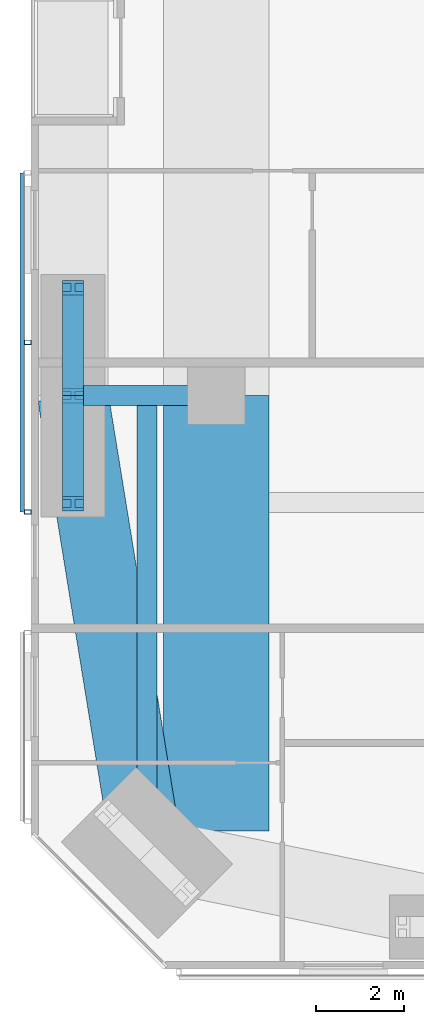
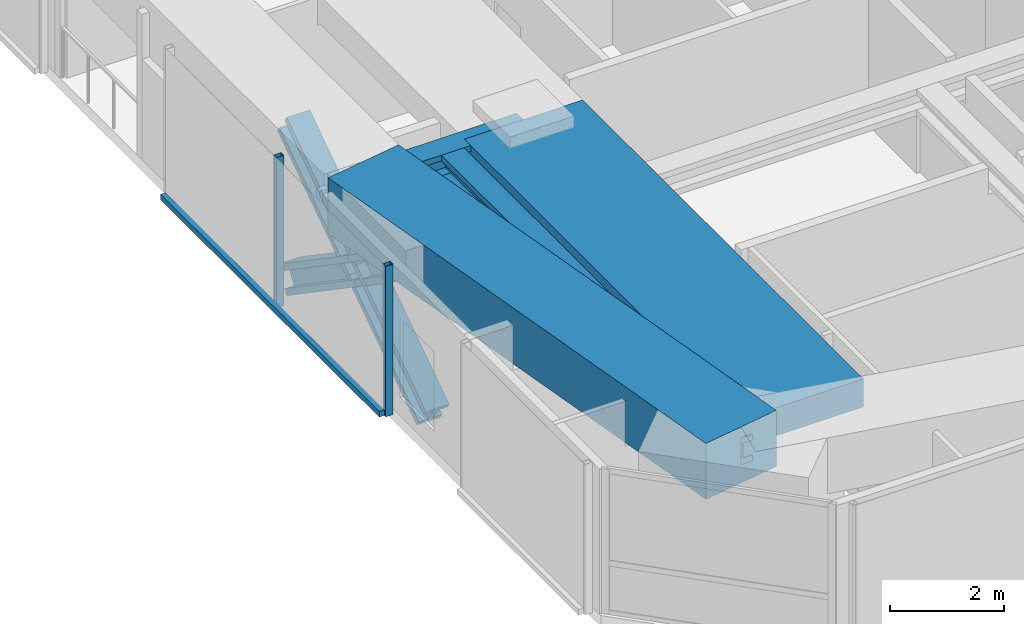
# One storey, part 3 of 25: 7 members, 4 beams, 1 element without a shape of its own.
"""IFC4 building model written with IfcOpenShell, lengths in metres."""

from ifc_helpers import new_model, si_unit, direction, frame, origin, origin_2d, place, context, subcontext, project, spatial, rectangle, hollow_rectangle, i_section, extrude, material, material_profile, profile_set, type_object, element, aggregate, save


model = new_model("IFC4")

# Units and contexts
model_context = context("Model", 3, precision=1e-05, world=origin(), true_north=direction((0.0, 1.0)))
body_context = subcontext(model_context, "Body", "Model", "MODEL_VIEW")
ifc_project = project(units=[si_unit("LENGTHUNIT", "METRE"), si_unit("AREAUNIT", "SQUARE_METRE"), si_unit("VOLUMEUNIT", "CUBIC_METRE"), si_unit("PLANEANGLEUNIT", "RADIAN"), si_unit("MASSUNIT", "GRAM", prefix="KILO")], contexts=[model_context])

# Site, building, storey
site_placement = place(None, origin())
site = spatial("IfcSite", under=ifc_project, at=site_placement, CompositionType="ELEMENT")
building_placement = place(site_placement, origin())
building = spatial("IfcBuilding", under=site, at=building_placement, Name="Jalousie Tower", CompositionType="ELEMENT")
storey_placement = place(building_placement, frame((0.0, 0.0, 94.800048828125)))
storey = spatial("IfcBuildingStorey", under=building, at=storey_placement, Name="L25", CompositionType="ELEMENT", Elevation=94.800048828125)

# Beams
ifc_material_1 = material(Name="Steel ASTM A992 Grade 50", Category="steel")
ifc_material_profile_1 = material_profile(ifc_material_1, i_section(OverallWidth=0.45458984375, OverallDepth=0.569091796875, WebThickness=0.077880859375, FlangeThickness=0.124755859375, at=origin_2d()), Name="W14X730")
ifc_profile_set_1 = profile_set([ifc_material_profile_1], Name="Steel ASTM A992 Grade 50")
beam_type_1 = type_object("IfcBeamType", Name="LEAN COLLECTOR W14X730", PredefinedType="BEAM", material=ifc_profile_set_1)
beam_1_placement = place(storey_placement, frame((6.949951171875, 13.0, 2.825439453125), z_axis=(1.0, 0.0, 0.0), x_axis=(0.0, 1.0, 0.0)))
element("IfcBeam", 1, at=beam_1_placement, inside=storey, type_object=beam_type_1, Name="Lean collector under L26", PredefinedType="BEAM", context=body_context, shape_type="SweptSolid", body=[
    extrude(i_section(OverallWidth=0.45458984375, OverallDepth=0.569091796875, WebThickness=0.077880859375, FlangeThickness=0.124755859375, at=origin_2d()), origin(), (0.0, 0.0, 1.0), 3.25),
])
beam_2_placement = place(storey_placement, frame((8.63134765625, 2.63134765625, 2.825439453125), z_axis=(0.0, 1.0, 0.0), x_axis=(-1.0, 0.0, 0.0)))
element("IfcBeam", 2, at=beam_2_placement, inside=storey, type_object=beam_type_1, Name="Lean collector under L26", PredefinedType="BEAM", context=body_context, shape_type="SweptSolid", body=[
    extrude(i_section(OverallWidth=0.45458984375, OverallDepth=0.569091796875, WebThickness=0.077880859375, FlangeThickness=0.124755859375, at=origin_2d()), origin(), (0.0, 0.0, 1.0), 10.36865234375),
])

# Members
ifc_material_2 = material(Name="Steel ASTM A992 Grade 50", Category="steel")
ifc_material_profile_2 = material_profile(ifc_material_2, i_section(OverallWidth=0.472412109375, OverallDepth=0.5791015625, WebThickness=0.094970703125, FlangeThickness=0.1298828125, at=origin_2d()), Name="W14X808")
ifc_profile_set_2 = profile_set([ifc_material_profile_2], Name="Steel ASTM A992 Grade 50")
member_type_1 = type_object("IfcMemberType", Name="PERIMETER BRACE W14X808", PredefinedType="BRACE", material=ifc_profile_set_2)
for number, where, z_axis, x_axis, name in (
    (3, (6.949951171875, 10.550048828125, -0.60009765625), (0.0, 0.825500916831, 0.564400776321), (-1.0, 0.0, 0.0), "Perimeter brace 14 L25 part 1"),
    (4, (6.949951171875, 13.0, 1.074951171875), (0.0, 0.825500916831, 0.564400776321), (-1.0, 0.0, 0.0), "Perimeter brace 14 L25 part 2"),
    (5, (6.949951171875, 15.449951171875, -0.60009765625), (0.0, -0.825500916831, 0.564400776321), (1.0, 0.0, 0.0), "Perimeter brace 14 L25 part 3"),
    (6, (6.949951171875, 13.0, 1.074951171875), (0.0, -0.825500916831, 0.564400776321), (1.0, 0.0, 0.0), "Perimeter brace 14 L25 part 4"),
):
    element("IfcMember", number, at=place(storey_placement, frame(where, z_axis=z_axis, x_axis=x_axis)), inside=storey, type_object=member_type_1, Name=name, PredefinedType="BRACE", context=body_context, shape_type="SweptSolid", body=[
        extrude(i_section(OverallWidth=0.472412109375, OverallDepth=0.5791015625, WebThickness=0.094970703125, FlangeThickness=0.1298828125, at=origin_2d()), origin(), (0.0, 0.0, 1.0), 2.9677734375),
    ])

# Beams
ifc_material_3 = material(Name="Concrete f'c 40 MPa", Category="concrete")
ifc_material_profile_3 = material_profile(ifc_material_3, rectangle(XDim=1.60009765625, YDim=1.199951171875, at=origin_2d()), Name="RC 1600x1200")
ifc_profile_set_3 = profile_set([ifc_material_profile_3], Name="Concrete f'c 40 MPa")
beam_type_2 = type_object("IfcBeamType", Name="RC BEAM 1600x1200", PredefinedType="BEAM", material=ifc_profile_set_3)
beam_3_placement = place(storey_placement, frame((6.949951171875, 13.0, 2.75), z_axis=(0.160070546476, -0.987105577003, 0.0), x_axis=(0.987105577003, 0.160070546476, 0.0)))
element("IfcBeam", 7, at=beam_3_placement, inside=storey, type_object=beam_type_2, Name="Edge band beam 14-01 under L26", PredefinedType="BEAM", context=body_context, shape_type="SweptSolid", body=[
    extrude(rectangle(XDim=1.60009765625, YDim=1.199951171875, at=origin_2d()), origin(), (0.0, 0.0, 1.0), 10.504150390625),
])
ifc_material_4 = material(Name="Concrete f'c 40 MPa", Category="concrete")
ifc_material_profile_4 = material_profile(ifc_material_4, rectangle(XDim=2.39990234375, YDim=0.60009765625, at=origin_2d()), Name="RC 2400x600")
ifc_profile_set_4 = profile_set([ifc_material_profile_4], Name="Concrete f'c 40 MPa")
beam_type_3 = type_object("IfcBeamType", Name="RC BEAM 2400x600", PredefinedType="BEAM", material=ifc_profile_set_4)
beam_4_placement = place(storey_placement, frame((10.199951171875, 13.0, 2.81005859375), z_axis=(0.0, -1.0, 0.0), x_axis=(1.0, 0.0, 0.0)))
element("IfcBeam", 8, at=beam_4_placement, inside=storey, type_object=beam_type_3, Name="Floor band beam under L26", PredefinedType="BEAM", context=body_context, shape_type="SweptSolid", body=[
    extrude(rectangle(XDim=2.39990234375, YDim=0.60009765625, at=origin_2d()), origin(), (0.0, 0.0, 1.0), 9.8720703125),
])

# Curtain wall, members
ifc_material_5 = material(Name="Perforated aluminium sheet", Category="aluminium")
curtain_wall_type = type_object("IfcCurtainWallType", Name="SOLAR SCREEN SS-1", PredefinedType="USERDEFINED", material=ifc_material_5)
curtain_wall_placement = place(storey_placement, origin())
curtain_wall = element("IfcCurtainWall", 9, at=curtain_wall_placement, inside=storey, type_object=curtain_wall_type, Name="Solar screen L25", ObjectType="SOLAR SCREEN SS-1", PredefinedType="USERDEFINED")
ifc_material_6 = material(Name="Steel ASTM A500 Grade C", Category="steel")
ifc_material_profile_5 = material_profile(ifc_material_6, hollow_rectangle(XDim=0.1015625, YDim=0.15234375, WallThickness=0.00634765625, at=origin_2d()), Name="HSS6X4X1/4")
ifc_profile_set_5 = profile_set([ifc_material_profile_5], Name="Steel ASTM A500 Grade C")
member_type_2 = type_object("IfcMemberType", Name="SOLAR SCREEN SS-1 MULLION", PredefinedType="MULLION", material=ifc_profile_set_5)
member_1_placement = place(storey_placement, frame((5.9287109375, 14.205810546875, -0.1201171875), z_axis=(0.0, 0.0, 1.0), x_axis=(0.0, -1.0, 0.0)))
member_1 = element("IfcMember", 10, at=member_1_placement, type_object=member_type_2, Name="SS1 post 2", PredefinedType="MULLION", context=body_context, shape_type="SweptSolid", body=[
    extrude(hollow_rectangle(XDim=0.1015625, YDim=0.15234375, WallThickness=0.00634765625, at=origin_2d()), origin(), (0.0, 0.0, 1.0), 3.22998046875),
])
member_2_placement = place(storey_placement, frame((5.9287109375, 10.36181640625, -0.1201171875), z_axis=(0.0, 0.0, 1.0), x_axis=(0.0, -1.0, 0.0)))
member_2 = element("IfcMember", 11, at=member_2_placement, type_object=member_type_2, Name="SS1 post 3", PredefinedType="MULLION", context=body_context, shape_type="SweptSolid", body=[
    extrude(hollow_rectangle(XDim=0.1015625, YDim=0.15234375, WallThickness=0.00634765625, at=origin_2d()), origin(), (0.0, 0.0, 1.0), 3.22998046875),
])
ifc_material_7 = material(Name="Extruded aluminium screen rail", Category="aluminium")
ifc_material_profile_6 = material_profile(ifc_material_7, rectangle(XDim=0.1015625, YDim=0.1201171875, at=origin_2d()), Name="RAIL 102x120")
ifc_profile_set_6 = profile_set([ifc_material_profile_6], Name="Extruded aluminium screen rail")
member_type_3 = type_object("IfcMemberType", Name="SOLAR SCREEN SS-1 TRANSOM", PredefinedType="USERDEFINED", material=ifc_profile_set_6)
member_3_placement = place(storey_placement, frame((5.8017578125, 18.050048828125, -0.06005859375), z_axis=(0.0, -1.0, 0.0), x_axis=(1.0, 0.0, 0.0)))
member_3 = element("IfcMember", 12, at=member_3_placement, type_object=member_type_3, Name="SS1 rail", ObjectType="TRANSOM", PredefinedType="USERDEFINED", context=body_context, shape_type="SweptSolid", body=[
    extrude(rectangle(XDim=0.1015625, YDim=0.1201171875, at=origin_2d()), origin(), (0.0, 0.0, 1.0), 7.688232421875),
])
aggregate(curtain_wall, [member_1, member_2, member_3])

save(model, "model.ifc")
